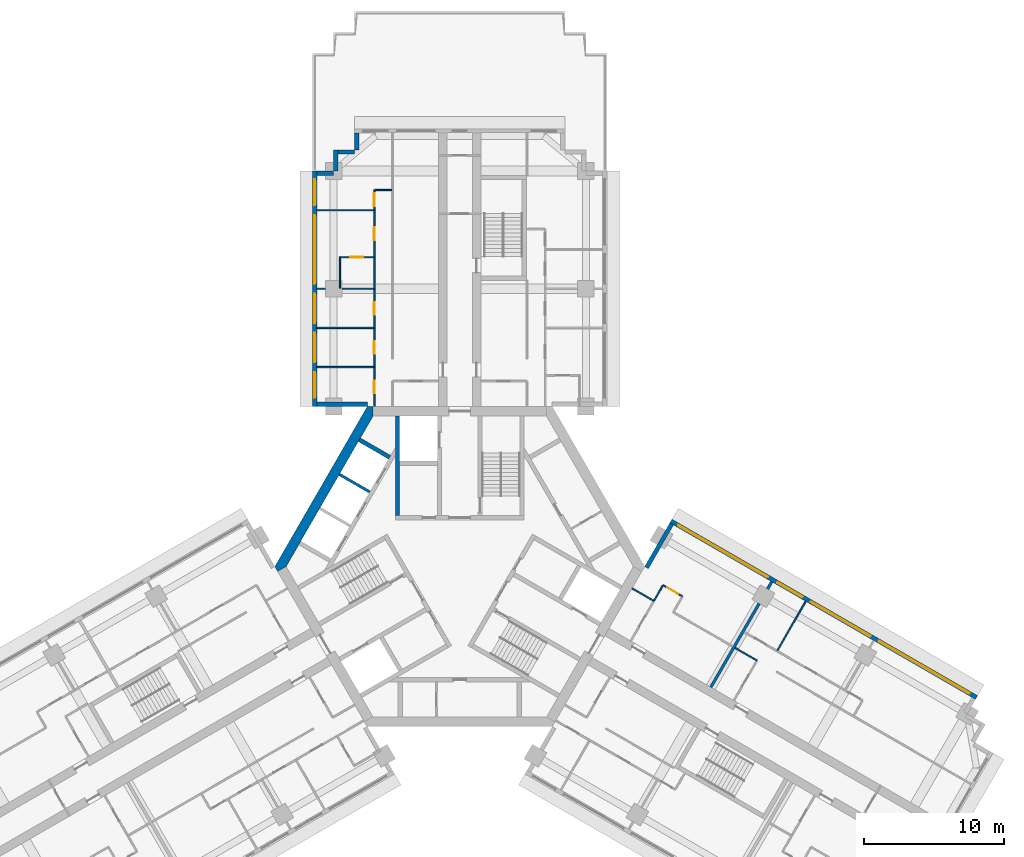
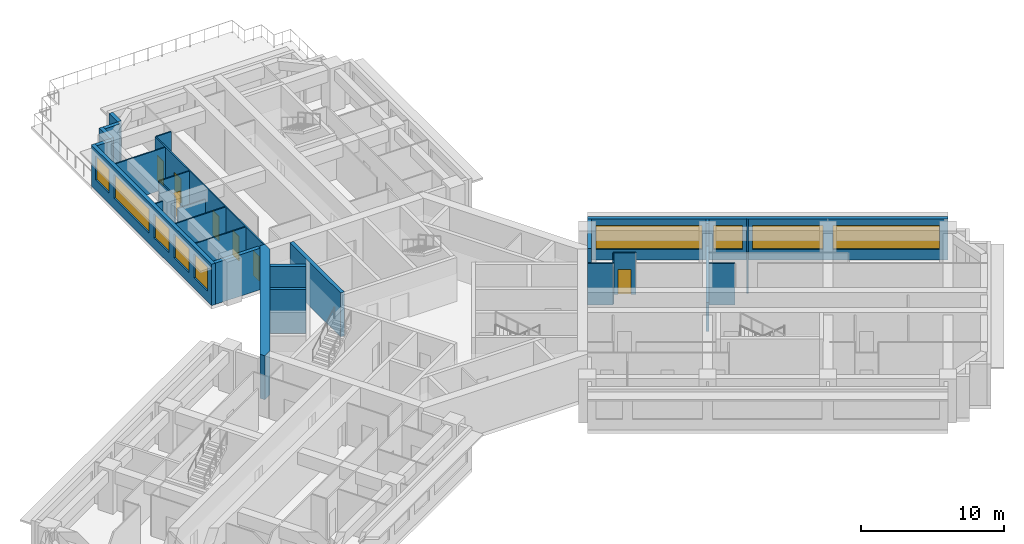
# One storey, part 7 of 12: 28 walls, 9 windows, 7 doors, 16 openings.
"""IFC4 building model written with IfcOpenShell, lengths in metres."""

from ifc_helpers import new_model, si_unit, direction, frame, frame_2d, origin, place, context, subcontext, project, spatial, polyline, rectangle, outline, extrude, material, layer, layer_set, type_object, element, fill, save


model = new_model("IFC4")

# Units and contexts
model_context = context("Model", 3, precision=1e-05, world=origin(), true_north=direction((0.0, 1.0)))
body_context = subcontext(model_context, "Body", "Model", "MODEL_VIEW")
ifc_project = project(units=[si_unit("LENGTHUNIT", "METRE"), si_unit("AREAUNIT", "SQUARE_METRE"), si_unit("VOLUMEUNIT", "CUBIC_METRE"), si_unit("PLANEANGLEUNIT", "RADIAN"), si_unit("MASSUNIT", "GRAM", prefix="KILO")], contexts=[model_context])

# Site, building, storey
site_placement = place(None, origin())
site = spatial("IfcSite", under=ifc_project, at=site_placement, CompositionType="ELEMENT")
building_placement = place(site_placement, origin())
building = spatial("IfcBuilding", under=site, at=building_placement, Name="Impinga Residences", CompositionType="ELEMENT")
storey_placement = place(building_placement, frame((0.0, 0.0, 188.5)))
storey = spatial("IfcBuildingStorey", under=building, at=storey_placement, Name="L46", CompositionType="ELEMENT", Elevation=188.5)

# Wall
ifc_material_1 = material(Name="Terracotta rainscreen on blockwork", Category="masonry")
ifc_layer_1 = layer(ifc_material_1, 0.300048828125)
ifc_layer_set_1 = layer_set([ifc_layer_1], Name="EW1 external wall, terracotta rainscreen on blockwork 300")
wall_type_1 = type_object("IfcWallType", Name="EW1 external wall, terracotta rainscreen on blockwork 300", PredefinedType="SOLIDWALL", material=ifc_layer_set_1)
wall_1_placement = place(storey_placement, frame((-6.60009765625, 11.58154296875, 0.0), z_axis=(0.0, 0.0, 1.0), x_axis=(-1.0, 0.0, 0.0)))
element("IfcWall", 1, at=wall_1_placement, inside=storey, type_object=wall_type_1, Name="External wall EW1 L46", PredefinedType="SOLIDWALL", context=body_context, shape_type="SweptSolid", body=[
    extrude(rectangle(XDim=3.599853515625, YDim=0.300048828125, at=frame_2d((1.7998046875, 0.0))), origin(), (0.0, 0.0, 1.0), 3.530029296875),
])

# Wall, openings, windows
wall_2_placement = place(storey_placement, frame((-10.35009765625, 11.431640625, 0.0), z_axis=(0.0, 0.0, 1.0), x_axis=(0.0, 1.0, 0.0)))
wall_2 = element("IfcWall", 2, at=wall_2_placement, inside=storey, type_object=wall_type_1, Name="External wall EW1 L46", PredefinedType="SOLIDWALL", context=body_context, shape_type="SweptSolid", body=[
    extrude(rectangle(XDim=16.7998046875, YDim=0.300048828125, at=frame_2d((8.39990234375, 0.0))), origin(), (0.0, 0.0, 1.0), 3.530029296875),
])
opening_1_placement = place(wall_2_placement, frame((0.60009765625, 0.0, 0.89990234375)))
opening_1 = element("IfcOpeningElement", 3, at=opening_1_placement, cuts=wall_2, Name="Opening W15", PredefinedType="OPENING", context=body_context, shape_type="SweptSolid", body=[
    extrude(rectangle(XDim=1.85009765625, YDim=2.050048828125, at=frame_2d((0.925048828125, 1.02490234375))), frame((0.0, 0.159912109375, 0.0), z_axis=(0.0, -1.0, 0.0), x_axis=(1.0, 0.0, 0.0)), (0.0, 0.0, 1.0), 0.320068359375),
])
opening_2_placement = place(wall_2_placement, frame((3.14990234375, 0.0, 0.89990234375)))
opening_2 = element("IfcOpeningElement", 4, at=opening_2_placement, cuts=wall_2, Name="Opening W9", PredefinedType="OPENING", context=body_context, shape_type="SweptSolid", body=[
    extrude(rectangle(XDim=2.10009765625, YDim=2.050048828125, at=frame_2d((1.050048828125, 1.02490234375))), frame((0.0, 0.159912109375, 0.0), z_axis=(0.0, -1.0, 0.0), x_axis=(1.0, 0.0, 0.0)), (0.0, 0.0, 1.0), 0.320068359375),
])
opening_3_placement = place(wall_2_placement, frame((5.949951171875, 0.0, 0.89990234375)))
opening_3 = element("IfcOpeningElement", 5, at=opening_3_placement, cuts=wall_2, Name="Opening W9", PredefinedType="OPENING", context=body_context, shape_type="SweptSolid", body=[
    extrude(rectangle(XDim=2.10009765625, YDim=2.050048828125, at=frame_2d((1.050048828125, 1.02490234375))), frame((0.0, 0.159912109375, 0.0), z_axis=(0.0, -1.0, 0.0), x_axis=(1.0, 0.0, 0.0)), (0.0, 0.0, 1.0), 0.320068359375),
])
opening_4_placement = place(wall_2_placement, frame((8.75, 0.0, 0.89990234375)))
opening_4 = element("IfcOpeningElement", 6, at=opening_4_placement, cuts=wall_2, Name="Opening W16", PredefinedType="OPENING", context=body_context, shape_type="SweptSolid", body=[
    extrude(rectangle(XDim=4.89990234375, YDim=2.050048828125, at=frame_2d((2.449951171875, 1.02490234375))), frame((0.0, 0.159912109375, 0.0), z_axis=(0.0, -1.0, 0.0), x_axis=(1.0, 0.0, 0.0)), (0.0, 0.0, 1.0), 0.320068359375),
])
opening_5_placement = place(wall_2_placement, frame((14.35009765625, 0.0, 0.89990234375)))
opening_5 = element("IfcOpeningElement", 7, at=opening_5_placement, cuts=wall_2, Name="Opening W15", PredefinedType="OPENING", context=body_context, shape_type="SweptSolid", body=[
    extrude(rectangle(XDim=1.85009765625, YDim=2.050048828125, at=frame_2d((0.925048828125, 1.02490234375))), frame((0.0, 0.159912109375, 0.0), z_axis=(0.0, -1.0, 0.0), x_axis=(1.0, 0.0, 0.0)), (0.0, 0.0, 1.0), 0.320068359375),
])
ifc_material_2 = material(Name="Aluminium window, clear double glazing", Category="aluminium")
window_type_1 = type_object("IfcWindowType", Name="W15 ribbon window 1850x2050", PartitioningType="SINGLE_PANEL", PredefinedType="WINDOW", material=ifc_material_2)
window_1_placement = place(opening_1_placement, origin())
window_1 = element("IfcWindow", 8, at=window_1_placement, inside=storey, type_object=window_type_1, Name="Window L46", OverallHeight=2.050048828125, OverallWidth=1.85009765625, PartitioningType="SINGLE_PANEL", PredefinedType="WINDOW", context=body_context, shape_type="SweptSolid", body=[
    extrude(rectangle(XDim=1.85009765625, YDim=2.050048828125, at=frame_2d((0.925048828125, 1.02490234375))), frame((0.0, 0.030029296875, 0.0), z_axis=(0.0, -1.0, 0.0), x_axis=(1.0, 0.0, 0.0)), (0.0, 0.0, 1.0), 0.06005859375),
])
fill(opening_1, window_1)
window_2_placement = place(opening_5_placement, origin())
window_2 = element("IfcWindow", 9, at=window_2_placement, inside=storey, type_object=window_type_1, Name="Window L46", OverallHeight=2.050048828125, OverallWidth=1.85009765625, PartitioningType="SINGLE_PANEL", PredefinedType="WINDOW", context=body_context, shape_type="SweptSolid", body=[
    extrude(rectangle(XDim=1.85009765625, YDim=2.050048828125, at=frame_2d((0.925048828125, 1.02490234375))), frame((0.0, 0.030029296875, 0.0), z_axis=(0.0, -1.0, 0.0), x_axis=(1.0, 0.0, 0.0)), (0.0, 0.0, 1.0), 0.06005859375),
])
fill(opening_5, window_2)
window_type_2 = type_object("IfcWindowType", Name="W16 ribbon window 4900x2050", PartitioningType="SINGLE_PANEL", PredefinedType="WINDOW", material=ifc_material_2)
window_3_placement = place(opening_4_placement, origin())
window_3 = element("IfcWindow", 10, at=window_3_placement, inside=storey, type_object=window_type_2, Name="Window L46", OverallHeight=2.050048828125, OverallWidth=4.89990234375, PartitioningType="SINGLE_PANEL", PredefinedType="WINDOW", context=body_context, shape_type="SweptSolid", body=[
    extrude(rectangle(XDim=4.89990234375, YDim=2.050048828125, at=frame_2d((2.449951171875, 1.02490234375))), frame((0.0, 0.030029296875, 0.0), z_axis=(0.0, -1.0, 0.0), x_axis=(1.0, 0.0, 0.0)), (0.0, 0.0, 1.0), 0.06005859375),
])
fill(opening_4, window_3)
window_type_3 = type_object("IfcWindowType", Name="W9 ribbon window 2100x2050", PartitioningType="SINGLE_PANEL", PredefinedType="WINDOW", material=ifc_material_2)
window_4_placement = place(opening_2_placement, origin())
window_4 = element("IfcWindow", 11, at=window_4_placement, inside=storey, type_object=window_type_3, Name="Window L46", OverallHeight=2.050048828125, OverallWidth=2.10009765625, PartitioningType="SINGLE_PANEL", PredefinedType="WINDOW", context=body_context, shape_type="SweptSolid", body=[
    extrude(rectangle(XDim=2.10009765625, YDim=2.050048828125, at=frame_2d((1.050048828125, 1.02490234375))), frame((0.0, 0.030029296875, 0.0), z_axis=(0.0, -1.0, 0.0), x_axis=(1.0, 0.0, 0.0)), (0.0, 0.0, 1.0), 0.06005859375),
])
fill(opening_2, window_4)
window_5_placement = place(opening_3_placement, origin())
window_5 = element("IfcWindow", 12, at=window_5_placement, inside=storey, type_object=window_type_3, Name="Window L46", OverallHeight=2.050048828125, OverallWidth=2.10009765625, PartitioningType="SINGLE_PANEL", PredefinedType="WINDOW", context=body_context, shape_type="SweptSolid", body=[
    extrude(rectangle(XDim=2.10009765625, YDim=2.050048828125, at=frame_2d((1.050048828125, 1.02490234375))), frame((0.0, 0.030029296875, 0.0), z_axis=(0.0, -1.0, 0.0), x_axis=(1.0, 0.0, 0.0)), (0.0, 0.0, 1.0), 0.06005859375),
])
fill(opening_3, window_5)

# Walls
wall_3_placement = place(storey_placement, frame((-10.199951171875, 28.08154296875, 0.0), z_axis=(0.0, 0.0, 1.0), x_axis=(1.0, 0.0, 0.0)))
element("IfcWall", 13, at=wall_3_placement, inside=storey, type_object=wall_type_1, Name="External wall EW1 L46", PredefinedType="SOLIDWALL", context=body_context, shape_type="SweptSolid", body=[
    extrude(rectangle(XDim=1.199951171875, YDim=0.300048828125, at=frame_2d((0.60009765625, 0.0))), origin(), (0.0, 0.0, 1.0), 3.530029296875),
])
wall_4_placement = place(storey_placement, frame((-8.85009765625, 28.236572265625, 0.0), z_axis=(0.0, 0.0, 1.0), x_axis=(0.0, 1.0, 0.0)))
element("IfcWall", 14, at=wall_4_placement, inside=storey, type_object=wall_type_1, Name="External wall EW1 L46", PredefinedType="SOLIDWALL", context=body_context, shape_type="SweptSolid", body=[
    extrude(rectangle(XDim=1.494873046875, YDim=0.300048828125, at=frame_2d((0.74755859375, 0.0))), origin(), (0.0, 0.0, 1.0), 3.530029296875),
])
wall_5_placement = place(storey_placement, frame((-8.699951171875, 29.58154296875, 0.0), z_axis=(0.0, 0.0, 1.0), x_axis=(1.0, 0.0, 0.0)))
element("IfcWall", 15, at=wall_5_placement, inside=storey, type_object=wall_type_1, Name="External wall EW1 L46", PredefinedType="SOLIDWALL", context=body_context, shape_type="SweptSolid", body=[
    extrude(rectangle(XDim=1.199951171875, YDim=0.300048828125, at=frame_2d((0.60009765625, 0.0))), origin(), (0.0, 0.0, 1.0), 3.530029296875),
])
wall_6_placement = place(storey_placement, frame((-7.35009765625, 29.736572265625, 0.0), z_axis=(0.0, 0.0, 1.0), x_axis=(0.0, 1.0, 0.0)))
element("IfcWall", 16, at=wall_6_placement, inside=storey, type_object=wall_type_1, Name="External wall EW1 L46", PredefinedType="SOLIDWALL", context=body_context, shape_type="SweptSolid", body=[
    extrude(rectangle(XDim=1.195068359375, YDim=0.300048828125, at=frame_2d((0.59765625, 0.0))), origin(), (0.0, 0.0, 1.0), 3.530029296875),
])
wall_7_placement = place(storey_placement, frame((13.329833984375, -0.074951171875, 0.0), z_axis=(0.0, 0.0, 1.0), x_axis=(0.500012057535, 0.866018442252, 0.0)))
element("IfcWall", 17, at=wall_7_placement, inside=storey, type_object=wall_type_1, Name="External wall EW1 L46", PredefinedType="SOLIDWALL", context=body_context, shape_type="SweptSolid", body=[
    extrude(rectangle(XDim=3.60009765625, YDim=0.300048828125, at=frame_2d((1.800048828125, 0.0))), origin(), (0.0, 0.0, 1.0), 3.530029296875),
])

# Wall, openings, windows
wall_8_placement = place(storey_placement, frame((15.074951171875, 3.24755859375, 0.0), z_axis=(0.0, 0.0, 1.0), x_axis=(0.86602925447, -0.499993330357, 0.0)))
wall_8 = element("IfcWall", 18, at=wall_8_placement, inside=storey, type_object=wall_type_1, Name="External wall EW1 L46", PredefinedType="SOLIDWALL", context=body_context, shape_type="SweptSolid", body=[
    extrude(rectangle(XDim=25.199951171875, YDim=0.300048828125, at=frame_2d((12.60009765625, 0.0))), origin(), (0.0, 0.0, 1.0), 3.530029296875),
])
opening_6_placement = place(wall_8_placement, frame((0.60009765625, 0.0, 0.89990234375)))
opening_6 = element("IfcOpeningElement", 19, at=opening_6_placement, cuts=wall_8, Name="Opening W12", PredefinedType="OPENING", context=body_context, shape_type="SweptSolid", body=[
    extrude(rectangle(XDim=7.39990234375, YDim=2.050048828125, at=frame_2d((3.699951171875, 1.02490234375))), frame((0.0, 0.159912109375, 0.0), z_axis=(0.0, -1.0, 0.0), x_axis=(1.0, 0.0, 0.0)), (0.0, 0.0, 1.0), 0.320068359375),
])
opening_7_placement = place(wall_8_placement, frame((8.800048828125, 0.0, 0.89990234375)))
opening_7 = element("IfcOpeningElement", 20, at=opening_7_placement, cuts=wall_8, Name="Opening W14", PredefinedType="OPENING", context=body_context, shape_type="SweptSolid", body=[
    extrude(rectangle(XDim=2.050048828125, YDim=2.050048828125, at=frame_2d((1.02490234375, 1.02490234375))), frame((0.0, 0.159912109375, 0.0), z_axis=(0.0, -1.0, 0.0), x_axis=(1.0, 0.0, 0.0)), (0.0, 0.0, 1.0), 0.320068359375),
])
opening_8_placement = place(wall_8_placement, frame((11.550048828125, 0.0, 0.89990234375)))
opening_8 = element("IfcOpeningElement", 21, at=opening_8_placement, cuts=wall_8, Name="Opening W16", PredefinedType="OPENING", context=body_context, shape_type="SweptSolid", body=[
    extrude(rectangle(XDim=4.89990234375, YDim=2.050048828125, at=frame_2d((2.449951171875, 1.02490234375))), frame((0.0, 0.159912109375, 0.0), z_axis=(0.0, -1.0, 0.0), x_axis=(1.0, 0.0, 0.0)), (0.0, 0.0, 1.0), 0.320068359375),
])
opening_9_placement = place(wall_8_placement, frame((17.14990234375, 0.0, 0.89990234375)))
opening_9 = element("IfcOpeningElement", 22, at=opening_9_placement, cuts=wall_8, Name="Opening W7", PredefinedType="OPENING", context=body_context, shape_type="SweptSolid", body=[
    extrude(rectangle(XDim=7.449951171875, YDim=2.050048828125, at=frame_2d((3.72509765625, 1.02490234375))), frame((0.0, 0.159912109375, 0.0), z_axis=(0.0, -1.0, 0.0), x_axis=(1.0, 0.0, 0.0)), (0.0, 0.0, 1.0), 0.320068359375),
])
window_type_4 = type_object("IfcWindowType", Name="W12 ribbon window 7400x2050", PartitioningType="SINGLE_PANEL", PredefinedType="WINDOW", material=ifc_material_2)
window_6_placement = place(opening_6_placement, origin())
window_6 = element("IfcWindow", 23, at=window_6_placement, inside=storey, type_object=window_type_4, Name="Window L46", OverallHeight=2.050048828125, OverallWidth=7.39990234375, PartitioningType="SINGLE_PANEL", PredefinedType="WINDOW", context=body_context, shape_type="SweptSolid", body=[
    extrude(rectangle(XDim=7.39990234375, YDim=2.050048828125, at=frame_2d((3.699951171875, 1.02490234375))), frame((0.0, 0.030029296875, 0.0), z_axis=(0.0, -1.0, 0.0), x_axis=(1.0, 0.0, 0.0)), (0.0, 0.0, 1.0), 0.06005859375),
])
fill(opening_6, window_6)
window_type_5 = type_object("IfcWindowType", Name="W14 ribbon window 2050x2050", PartitioningType="SINGLE_PANEL", PredefinedType="WINDOW", material=ifc_material_2)
window_7_placement = place(opening_7_placement, origin())
window_7 = element("IfcWindow", 24, at=window_7_placement, inside=storey, type_object=window_type_5, Name="Window L46", OverallHeight=2.050048828125, OverallWidth=2.050048828125, PartitioningType="SINGLE_PANEL", PredefinedType="WINDOW", context=body_context, shape_type="SweptSolid", body=[
    extrude(rectangle(XDim=2.050048828125, YDim=2.050048828125, at=frame_2d((1.02490234375, 1.02490234375))), frame((0.0, 0.030029296875, 0.0), z_axis=(0.0, -1.0, 0.0), x_axis=(1.0, 0.0, 0.0)), (0.0, 0.0, 1.0), 0.06005859375),
])
fill(opening_7, window_7)
window_8_placement = place(opening_8_placement, origin())
window_8 = element("IfcWindow", 25, at=window_8_placement, inside=storey, type_object=window_type_2, Name="Window L46", OverallHeight=2.050048828125, OverallWidth=4.89990234375, PartitioningType="SINGLE_PANEL", PredefinedType="WINDOW", context=body_context, shape_type="SweptSolid", body=[
    extrude(rectangle(XDim=4.89990234375, YDim=2.050048828125, at=frame_2d((2.449951171875, 1.02490234375))), frame((0.0, 0.030029296875, 0.0), z_axis=(0.0, -1.0, 0.0), x_axis=(1.0, 0.0, 0.0)), (0.0, 0.0, 1.0), 0.06005859375),
])
fill(opening_8, window_8)
window_type_6 = type_object("IfcWindowType", Name="W7 ribbon window 7450x2050", PartitioningType="SINGLE_PANEL", PredefinedType="WINDOW", material=ifc_material_2)
window_9_placement = place(opening_9_placement, origin())
window_9 = element("IfcWindow", 26, at=window_9_placement, inside=storey, type_object=window_type_6, Name="Window L46", OverallHeight=2.050048828125, OverallWidth=7.449951171875, PartitioningType="SINGLE_PANEL", PredefinedType="WINDOW", context=body_context, shape_type="SweptSolid", body=[
    extrude(rectangle(XDim=7.449951171875, YDim=2.050048828125, at=frame_2d((3.72509765625, 1.02490234375))), frame((0.0, 0.030029296875, 0.0), z_axis=(0.0, -1.0, 0.0), x_axis=(1.0, 0.0, 0.0)), (0.0, 0.0, 1.0), 0.06005859375),
])
fill(opening_9, window_9)

# Wall, openings, doors
ifc_material_3 = material(Name="Gypsum board on steel studs", Category="steel")
ifc_layer_2 = layer(ifc_material_3, 0.10009765625)
ifc_layer_set_2 = layer_set([ifc_layer_2], Name="Gypsum board on steel studs")
wall_type_2 = type_object("IfcWallType", Name="IP1 partition 100", PredefinedType="PARTITIONING", material=ifc_layer_set_2)
wall_9_placement = place(storey_placement, frame((-6.10009765625, 11.431640625, 0.0), z_axis=(0.0, 0.0, 1.0), x_axis=(0.0, 1.0, 0.0)))
wall_9 = element("IfcWall", 27, at=wall_9_placement, inside=storey, type_object=wall_type_2, Name="Partition L46-NA1:STRIP", PredefinedType="PARTITIONING", context=body_context, shape_type="SweptSolid", body=[
    extrude(rectangle(XDim=15.449951171875, YDim=0.10009765625, at=frame_2d((7.72509765625, 0.0))), origin(), (0.0, 0.0, 1.0), 3.530029296875),
])
opening_10_placement = place(wall_9_placement, frame((0.925048828125, 0.0, 0.0)))
opening_10 = element("IfcOpeningElement", 28, at=opening_10_placement, cuts=wall_9, Name="Opening D2", PredefinedType="OPENING", context=body_context, shape_type="SweptSolid", body=[
    extrude(rectangle(XDim=0.89990234375, YDim=2.10009765625, at=frame_2d((0.449951171875, 1.050048828125))), frame((0.0, 0.06005859375, 0.0), z_axis=(0.0, -1.0, 0.0), x_axis=(1.0, 0.0, 0.0)), (0.0, 0.0, 1.0), 0.1201171875),
])
opening_11_placement = place(wall_9_placement, frame((3.75, 0.0, 0.0)))
opening_11 = element("IfcOpeningElement", 29, at=opening_11_placement, cuts=wall_9, Name="Opening D2", PredefinedType="OPENING", context=body_context, shape_type="SweptSolid", body=[
    extrude(rectangle(XDim=0.89990234375, YDim=2.10009765625, at=frame_2d((0.449951171875, 1.050048828125))), frame((0.0, 0.06005859375, 0.0), z_axis=(0.0, -1.0, 0.0), x_axis=(1.0, 0.0, 0.0)), (0.0, 0.0, 1.0), 0.1201171875),
])
opening_12_placement = place(wall_9_placement, frame((6.550048828125, 0.0, 0.0)))
opening_12 = element("IfcOpeningElement", 30, at=opening_12_placement, cuts=wall_9, Name="Opening D2", PredefinedType="OPENING", context=body_context, shape_type="SweptSolid", body=[
    extrude(rectangle(XDim=0.89990234375, YDim=2.10009765625, at=frame_2d((0.449951171875, 1.050048828125))), frame((0.0, 0.06005859375, 0.0), z_axis=(0.0, -1.0, 0.0), x_axis=(1.0, 0.0, 0.0)), (0.0, 0.0, 1.0), 0.1201171875),
])
opening_13_placement = place(wall_9_placement, frame((11.875, 0.0, 0.0)))
opening_13 = element("IfcOpeningElement", 31, at=opening_13_placement, cuts=wall_9, Name="Opening D2", PredefinedType="OPENING", context=body_context, shape_type="SweptSolid", body=[
    extrude(rectangle(XDim=0.89990234375, YDim=2.10009765625, at=frame_2d((0.449951171875, 1.050048828125))), frame((0.0, 0.06005859375, 0.0), z_axis=(0.0, -1.0, 0.0), x_axis=(1.0, 0.0, 0.0)), (0.0, 0.0, 1.0), 0.1201171875),
])
opening_14_placement = place(wall_9_placement, frame((14.300048828125, 0.0, 0.0)))
opening_14 = element("IfcOpeningElement", 32, at=opening_14_placement, cuts=wall_9, Name="Opening D2", PredefinedType="OPENING", context=body_context, shape_type="SweptSolid", body=[
    extrude(rectangle(XDim=0.89990234375, YDim=2.10009765625, at=frame_2d((0.449951171875, 1.050048828125))), frame((0.0, 0.06005859375, 0.0), z_axis=(0.0, -1.0, 0.0), x_axis=(1.0, 0.0, 0.0)), (0.0, 0.0, 1.0), 0.1201171875),
])
ifc_material_4 = material(Name="Timber door set", Category="wood")
door_type = type_object("IfcDoorType", Name="D2 internal door 900x2100", OperationType="SINGLE_SWING_LEFT", PredefinedType="DOOR", material=ifc_material_4)
door_1_placement = place(opening_10_placement, origin())
door_1 = element("IfcDoor", 33, at=door_1_placement, inside=storey, type_object=door_type, Name="Apartment L46-NA1 room door", OperationType="SINGLE_SWING_LEFT", OverallHeight=2.10009765625, OverallWidth=0.89990234375, PredefinedType="DOOR", context=body_context, shape_type="SweptSolid", body=[
    extrude(rectangle(XDim=0.89990234375, YDim=2.10009765625, at=frame_2d((0.449951171875, 1.050048828125))), frame((0.0, 0.02490234375, 0.0), z_axis=(0.0, -1.0, 0.0), x_axis=(1.0, 0.0, 0.0)), (0.0, 0.0, 1.0), 0.050048828125),
])
fill(opening_10, door_1)
door_2_placement = place(opening_11_placement, origin())
door_2 = element("IfcDoor", 34, at=door_2_placement, inside=storey, type_object=door_type, Name="Apartment L46-NA1 room door", OperationType="SINGLE_SWING_LEFT", OverallHeight=2.10009765625, OverallWidth=0.89990234375, PredefinedType="DOOR", context=body_context, shape_type="SweptSolid", body=[
    extrude(rectangle(XDim=0.89990234375, YDim=2.10009765625, at=frame_2d((0.449951171875, 1.050048828125))), frame((0.0, 0.02490234375, 0.0), z_axis=(0.0, -1.0, 0.0), x_axis=(1.0, 0.0, 0.0)), (0.0, 0.0, 1.0), 0.050048828125),
])
fill(opening_11, door_2)
door_3_placement = place(opening_12_placement, origin())
door_3 = element("IfcDoor", 35, at=door_3_placement, inside=storey, type_object=door_type, Name="Apartment L46-NA1 room door", OperationType="SINGLE_SWING_LEFT", OverallHeight=2.10009765625, OverallWidth=0.89990234375, PredefinedType="DOOR", context=body_context, shape_type="SweptSolid", body=[
    extrude(rectangle(XDim=0.89990234375, YDim=2.10009765625, at=frame_2d((0.449951171875, 1.050048828125))), frame((0.0, 0.02490234375, 0.0), z_axis=(0.0, -1.0, 0.0), x_axis=(1.0, 0.0, 0.0)), (0.0, 0.0, 1.0), 0.050048828125),
])
fill(opening_12, door_3)
door_4_placement = place(opening_13_placement, origin())
door_4 = element("IfcDoor", 36, at=door_4_placement, inside=storey, type_object=door_type, Name="Apartment L46-NA1 room door", OperationType="SINGLE_SWING_RIGHT", OverallHeight=2.10009765625, OverallWidth=0.89990234375, PredefinedType="DOOR", context=body_context, shape_type="SweptSolid", body=[
    extrude(rectangle(XDim=0.89990234375, YDim=2.10009765625, at=frame_2d((0.449951171875, 1.050048828125))), frame((0.0, 0.02490234375, 0.0), z_axis=(0.0, -1.0, 0.0), x_axis=(1.0, 0.0, 0.0)), (0.0, 0.0, 1.0), 0.050048828125),
])
fill(opening_13, door_4)
door_5_placement = place(opening_14_placement, origin())
door_5 = element("IfcDoor", 37, at=door_5_placement, inside=storey, type_object=door_type, Name="Apartment L46-NA1 room door", OperationType="SINGLE_SWING_RIGHT", OverallHeight=2.10009765625, OverallWidth=0.89990234375, PredefinedType="DOOR", context=body_context, shape_type="SweptSolid", body=[
    extrude(rectangle(XDim=0.89990234375, YDim=2.10009765625, at=frame_2d((0.449951171875, 1.050048828125))), frame((0.0, 0.02490234375, 0.0), z_axis=(0.0, -1.0, 0.0), x_axis=(1.0, 0.0, 0.0)), (0.0, 0.0, 1.0), 0.050048828125),
])
fill(opening_14, door_5)

# Walls
wall_10_placement = place(storey_placement, frame((-4.85009765625, 26.881591796875, 0.0), z_axis=(0.0, 0.0, 1.0), x_axis=(-1.0, 0.0, 0.0)))
element("IfcWall", 38, at=wall_10_placement, inside=storey, type_object=wall_type_2, Name="Partition L46-NA1:SE1", PredefinedType="PARTITIONING", context=body_context, shape_type="SweptSolid", body=[
    extrude(rectangle(XDim=1.199951171875, YDim=0.10009765625, at=frame_2d((0.60009765625, 0.0))), origin(), (0.0, 0.0, 1.0), 3.530029296875),
])
for number, where, z_axis, x_axis, name in (
    (39, (-6.14990234375, 14.2314453125, 0.0), (0.0, 0.0, 1.0), (-1.0, 0.0, 0.0), "Partition L46-NA1:OB1"),
    (40, (-6.14990234375, 17.031494140625, 0.0), (0.0, 0.0, 1.0), (-1.0, 0.0, 0.0), "Partition L46-NA1:OB2"),
):
    element("IfcWall", number, at=place(storey_placement, frame(where, z_axis=z_axis, x_axis=x_axis)), inside=storey, type_object=wall_type_2, Name=name, PredefinedType="PARTITIONING", context=body_context, shape_type="SweptSolid", body=[
        extrude(rectangle(XDim=4.050048828125, YDim=0.10009765625, at=frame_2d((2.02490234375, 0.0))), origin(), (0.0, 0.0, 1.0), 3.530029296875),
    ])
wall_11_placement = place(storey_placement, frame((-6.14990234375, 19.83154296875, 0.0), z_axis=(0.0, 0.0, 1.0), x_axis=(-1.0, 0.0, 0.0)))
element("IfcWall", 41, at=wall_11_placement, inside=storey, type_object=wall_type_2, Name="Partition L46-NA1:OB3", PredefinedType="PARTITIONING", context=body_context, shape_type="SweptSolid", body=[
    extrude(rectangle(XDim=2.25, YDim=0.10009765625, at=frame_2d((1.125, 0.0))), origin(), (0.0, 0.0, 1.0), 2.47998046875),
])
wall_12_placement = place(storey_placement, frame((-9.60009765625, 19.83154296875, 0.0), z_axis=(0.0, 0.0, 1.0), x_axis=(-1.0, 0.0, 0.0)))
element("IfcWall", 42, at=wall_12_placement, inside=storey, type_object=wall_type_2, Name="Partition L46-NA1:OB3b", PredefinedType="PARTITIONING", context=body_context, shape_type="SweptSolid", body=[
    extrude(rectangle(XDim=0.599853515625, YDim=0.10009765625, at=frame_2d((0.2998046875, 0.0))), origin(), (0.0, 0.0, 1.0), 3.530029296875),
])
wall_13_placement = place(storey_placement, frame((-6.14990234375, 25.431640625, 0.0), z_axis=(0.0, 0.0, 1.0), x_axis=(-1.0, 0.0, 0.0)))
element("IfcWall", 43, at=wall_13_placement, inside=storey, type_object=wall_type_2, Name="Partition L46-NA1:OB4", PredefinedType="PARTITIONING", context=body_context, shape_type="SweptSolid", body=[
    extrude(rectangle(XDim=4.050048828125, YDim=0.10009765625, at=frame_2d((2.02490234375, 0.0))), origin(), (0.0, 0.0, 1.0), 3.530029296875),
])

# Wall, opening, door
wall_14_placement = place(storey_placement, frame((-6.14990234375, 22.08154296875, 0.0), z_axis=(0.0, 0.0, 1.0), x_axis=(-1.0, 0.0, 0.0)))
wall_14 = element("IfcWall", 44, at=wall_14_placement, inside=storey, type_object=wall_type_2, Name="Partition L46-NA1:EN1", PredefinedType="PARTITIONING", context=body_context, shape_type="SweptSolid", body=[
    extrude(rectangle(XDim=2.4501953125, YDim=0.10009765625, at=frame_2d((1.22509765625, 0.0))), origin(), (0.0, 0.0, 1.0), 3.530029296875),
])
opening_15_placement = place(wall_14_placement, frame((0.75, 0.0, 0.0)))
opening_15 = element("IfcOpeningElement", 45, at=opening_15_placement, cuts=wall_14, Name="Opening D2", PredefinedType="OPENING", context=body_context, shape_type="SweptSolid", body=[
    extrude(rectangle(XDim=0.89990234375, YDim=2.10009765625, at=frame_2d((0.449951171875, 1.050048828125))), frame((0.0, 0.06005859375, 0.0), z_axis=(0.0, -1.0, 0.0), x_axis=(1.0, 0.0, 0.0)), (0.0, 0.0, 1.0), 0.1201171875),
])
door_6_placement = place(opening_15_placement, origin())
door_6 = element("IfcDoor", 46, at=door_6_placement, inside=storey, type_object=door_type, Name="Apartment L46-NA1 en-suite door", OperationType="SINGLE_SWING_LEFT", OverallHeight=2.10009765625, OverallWidth=0.89990234375, PredefinedType="DOOR", context=body_context, shape_type="SweptSolid", body=[
    extrude(rectangle(XDim=0.89990234375, YDim=2.10009765625, at=frame_2d((0.449951171875, 1.050048828125))), frame((0.0, 0.02490234375, 0.0), z_axis=(0.0, -1.0, 0.0), x_axis=(1.0, 0.0, 0.0)), (0.0, 0.0, 1.0), 0.050048828125),
])
fill(opening_15, door_6)

# Walls
wall_15_placement = place(storey_placement, frame((-8.550048828125, 19.881591796875, 0.0), z_axis=(0.0, 0.0, 1.0), x_axis=(0.0, 1.0, 0.0)))
element("IfcWall", 47, at=wall_15_placement, inside=storey, type_object=wall_type_2, Name="Partition L46-NA1:EN2", PredefinedType="PARTITIONING", context=body_context, shape_type="SweptSolid", body=[
    extrude(rectangle(XDim=2.14990234375, YDim=0.10009765625, at=frame_2d((1.074951171875, 0.0))), origin(), (0.0, 0.0, 1.0), 3.530029296875),
])
wall_16_placement = place(storey_placement, frame((12.300048828125, -1.558837890625, 0.0), z_axis=(0.0, 0.0, 1.0), x_axis=(0.866047807691, -0.499961193289, 0.0)))
element("IfcWall", 48, at=wall_16_placement, inside=storey, type_object=wall_type_2, Name="Partition L46-EA1:DIV0", PredefinedType="PARTITIONING", context=body_context, shape_type="SweptSolid", body=[
    extrude(rectangle(XDim=1.800048828125, YDim=0.10009765625, at=frame_2d((0.89990234375, 0.0))), origin(), (0.0, 0.0, 1.0), 3.530029296875),
])

# Wall, opening, door
wall_17_placement = place(storey_placement, frame((14.5087890625, -1.3330078125, 0.0), z_axis=(0.0, 0.0, 1.0), x_axis=(0.866028054938, -0.499995408039, 0.0)))
wall_17 = element("IfcWall", 49, at=wall_17_placement, inside=storey, type_object=wall_type_2, Name="Partition L46-EA1:STRIP", PredefinedType="PARTITIONING", context=body_context, shape_type="SweptSolid", body=[
    extrude(rectangle(XDim=1.60009765625, YDim=0.10009765625, at=frame_2d((0.800048828125, 0.0))), origin(), (0.0, 0.0, 1.0), 3.530029296875),
])
opening_16_placement = place(wall_17_placement, frame((0.35009765625, 0.0, 0.0)))
opening_16 = element("IfcOpeningElement", 50, at=opening_16_placement, cuts=wall_17, Name="Opening D2", PredefinedType="OPENING", context=body_context, shape_type="SweptSolid", body=[
    extrude(rectangle(XDim=0.89990234375, YDim=2.10009765625, at=frame_2d((0.449951171875, 1.050048828125))), frame((0.0, 0.06005859375, 0.0), z_axis=(0.0, -1.0, 0.0), x_axis=(1.0, 0.0, 0.0)), (0.0, 0.0, 1.0), 0.1201171875),
])
door_7_placement = place(opening_16_placement, origin())
door_7 = element("IfcDoor", 51, at=door_7_placement, inside=storey, type_object=door_type, Name="Apartment L46-EA1 room door", OperationType="SINGLE_SWING_LEFT", OverallHeight=2.10009765625, OverallWidth=0.89990234375, PredefinedType="DOOR", context=body_context, shape_type="SweptSolid", body=[
    extrude(rectangle(XDim=0.89990234375, YDim=2.10009765625, at=frame_2d((0.449951171875, 1.050048828125))), frame((0.0, 0.02490234375, 0.0), z_axis=(0.0, -1.0, 0.0), x_axis=(1.0, 0.0, 0.0)), (0.0, 0.0, 1.0), 0.050048828125),
])
fill(opening_16, door_7)

# Walls
wall_18_placement = place(storey_placement, frame((13.8837890625, -2.41552734375, 0.0), z_axis=(0.0, 0.0, 1.0), x_axis=(0.500033551112, 0.866006032174, 0.0)))
element("IfcWall", 52, at=wall_18_placement, inside=storey, type_object=wall_type_2, Name="Partition L46-EA1:SE0", PredefinedType="PARTITIONING", context=body_context, shape_type="SweptSolid", body=[
    extrude(rectangle(XDim=1.2001953125, YDim=0.10009765625, at=frame_2d((0.60009765625, 0.0))), origin(), (0.0, 0.0, 1.0), 3.530029296875),
])
wall_19_placement = place(storey_placement, frame((19.6611328125, -5.808837890625, 0.0), z_axis=(0.0, 0.0, 1.0), x_axis=(0.866047807691, -0.499961193289, 0.0)))
element("IfcWall", 53, at=wall_19_placement, inside=storey, type_object=wall_type_2, Name="Partition L46-EA2:DIV0", PredefinedType="PARTITIONING", context=body_context, shape_type="SweptSolid", body=[
    extrude(rectangle(XDim=1.800048828125, YDim=0.10009765625, at=frame_2d((0.89990234375, 0.0))), origin(), (0.0, 0.0, 1.0), 3.530029296875),
])
wall_20_placement = place(storey_placement, frame((22.674560546875, -5.98974609375, 0.0), z_axis=(0.0, 0.0, 1.0), x_axis=(0.499990325971, 0.866030989016, 0.0)))
element("IfcWall", 54, at=wall_20_placement, inside=storey, type_object=wall_type_2, Name="Partition L46-EA2:OB1", PredefinedType="PARTITIONING", context=body_context, shape_type="SweptSolid", body=[
    extrude(rectangle(XDim=4.0498046875, YDim=0.10009765625, at=frame_2d((2.02490234375, 0.0))), origin(), (0.0, 0.0, 1.0), 3.530029296875),
])
ifc_material_5 = material(Name="Concrete blockwork", Category="masonry")
ifc_layer_3 = layer(ifc_material_5, 0.199951171875)
ifc_layer_set_3 = layer_set([ifc_layer_3], Name="PW1 party wall between apartments 200")
wall_type_3 = type_object("IfcWallType", Name="PW1 party wall between apartments 200", PredefinedType="SOLIDWALL", material=ifc_layer_set_3)
wall_21_placement = place(storey_placement, frame((17.924560546875, -8.61669921875, 0.0), z_axis=(0.0, 0.0, 1.0), x_axis=(0.499994024137, 0.866028853923, 0.0)))
element("IfcWall", 55, at=wall_21_placement, inside=storey, type_object=wall_type_3, Name="Party wall between apartments L46-EA1:PARTY", PredefinedType="SOLIDWALL", context=body_context, shape_type="SweptSolid", body=[
    extrude(rectangle(XDim=6.89990234375, YDim=0.199951171875, at=frame_2d((3.449951171875, 0.0))), origin(), (0.0, 0.0, 1.0), 2.47998046875),
])
wall_22_placement = place(storey_placement, frame((21.974609375, -1.601806640625, 0.0), z_axis=(0.0, 0.0, 1.0), x_axis=(0.50012165622, 0.865955154139, 0.0)))
element("IfcWall", 56, at=wall_22_placement, inside=storey, type_object=wall_type_3, Name="Party wall between apartments L46-EA1:PARTYb", PredefinedType="SOLIDWALL", context=body_context, shape_type="SweptSolid", body=[
    extrude(rectangle(XDim=0.599853515625, YDim=0.199951171875, at=frame_2d((0.2998046875, 0.0))), origin(), (0.0, 0.0, 1.0), 3.530029296875),
])
ifc_material_6 = material(Name="Concrete C60/75", Category="concrete")
ifc_layer_4 = layer(ifc_material_6, 0.699951171875)
ifc_layer_set_4 = layer_set([ifc_layer_4], Name="Concrete C60/75")
wall_type_4 = type_object("IfcWallType", Name="SW3 core wall 700", PredefinedType="SHEAR", material=ifc_layer_set_4)
wall_23_placement = place(storey_placement, origin())
element("IfcWall", 57, at=wall_23_placement, inside=storey, type_object=wall_type_4, Name="Core wall SW3 E:EXPOSED L46", PredefinedType="SHEAR", context=body_context, shape_type="SweptSolid", body=[
    extrude(outline(polyline([(-6.60009765625, 11.431640625), (-13.199951171875, 0.0), (-12.998046875, -0.35009765625), (-12.3916015625, 0.0), (-6.19580078125, 10.7314453125), (-6.19580078125, 11.431640625), (-6.60009765625, 11.431640625)])), origin(), (0.0, 0.0, 1.0), 3.75),
])
ifc_material_7 = material(Name="Concrete C70/85", Category="concrete")
ifc_layer_5 = layer(ifc_material_7, 0.300048828125)
ifc_layer_set_5 = layer_set([ifc_layer_5], Name="Concrete C70/85")
wall_type_5 = type_object("IfcWallType", Name="SW5 core inner wall, stairs, shafts and lobbies 300", PredefinedType="SHEAR", material=ifc_layer_set_5)
wall_24_placement = place(storey_placement, frame((-4.449951171875, 3.6298828125, 0.0), z_axis=(0.0, 0.0, 1.0), x_axis=(0.0, 1.0, 0.0)))
element("IfcWall", 58, at=wall_24_placement, inside=storey, type_object=wall_type_5, Name="Core wall SW5 N:FF-OUT L46", PredefinedType="SHEAR", context=body_context, shape_type="SweptSolid", body=[
    extrude(rectangle(XDim=7.1015625, YDim=0.300048828125, at=frame_2d((3.55078125, 0.0))), origin(), (0.0, 0.0, 1.0), 3.75),
])
wall_25_placement = place(storey_placement, frame((-5.003662109375, 7.79638671875, 0.0), z_axis=(0.0, 0.0, 1.0), x_axis=(-0.866022959057, 0.500004234368, 0.0)))
element("IfcWall", 59, at=wall_25_placement, inside=storey, type_object=wall_type_5, Name="Core wall SW5 E:BANK-R L46", PredefinedType="SHEAR", context=body_context, shape_type="SweptSolid", body=[
    extrude(rectangle(XDim=2.5, YDim=0.300048828125, at=frame_2d((1.25, 0.0))), origin(), (0.0, 0.0, 1.0), 3.75),
])
ifc_layer_6 = layer(ifc_material_7, 0.199951171875)
ifc_layer_set_6 = layer_set([ifc_layer_6], Name="Concrete C70/85")
wall_type_6 = type_object("IfcWallType", Name="SW6 lift shaft divider wall 200", PredefinedType="SHEAR", material=ifc_layer_set_6)
wall_26_placement = place(storey_placement, frame((-6.4287109375, 5.328125, 0.0), z_axis=(0.0, 0.0, 1.0), x_axis=(-0.866022959057, 0.500004234368, 0.0)))
element("IfcWall", 60, at=wall_26_placement, inside=storey, type_object=wall_type_6, Name="Core wall SW6 E:BANK-D2 L46", PredefinedType="SHEAR", context=body_context, shape_type="SweptSolid", body=[
    extrude(rectangle(XDim=2.5, YDim=0.199951171875, at=frame_2d((1.25, 0.0))), origin(), (0.0, 0.0, 1.0), 3.75),
])

save(model, "model.ifc")
